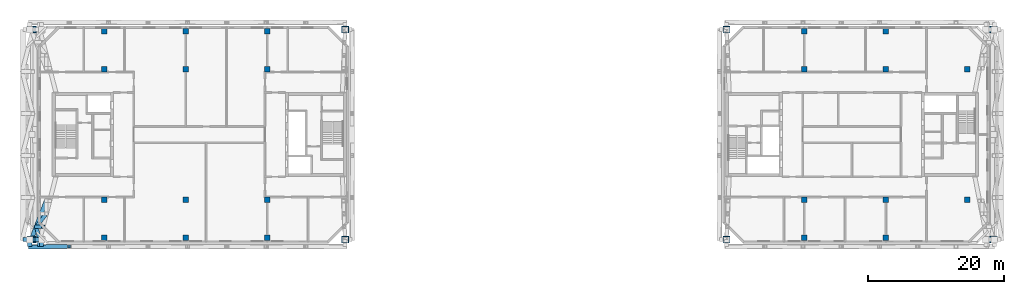
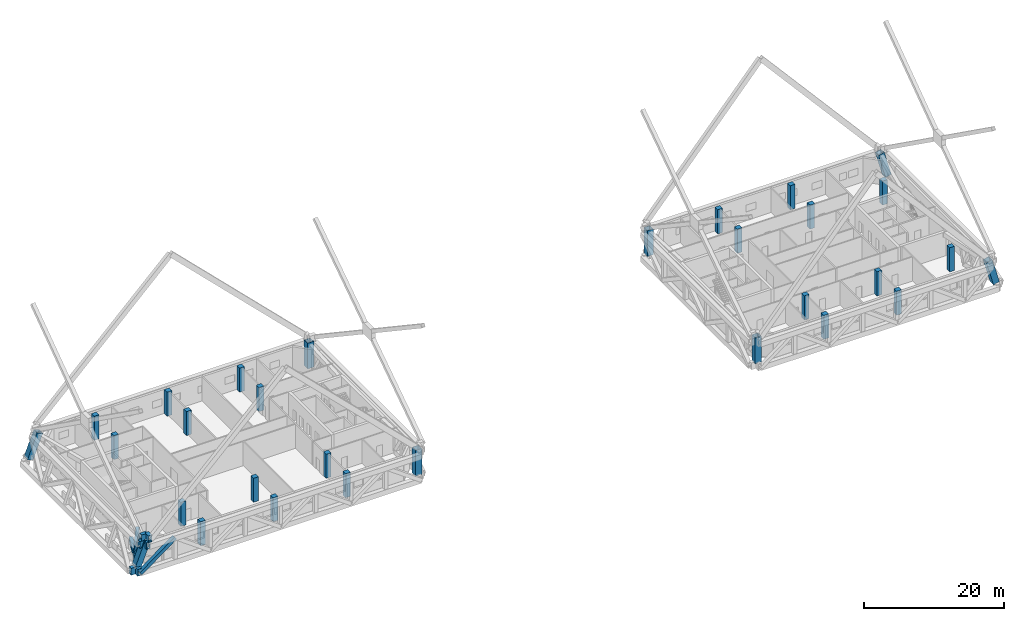
# One storey, part 1 of 20: 30 columns, 7 beams, 4 members.
"""IFC4 building model written with IfcOpenShell, lengths in metres."""

from ifc_helpers import new_model, si_unit, direction, frame, origin, origin_2d, place, context, subcontext, project, spatial, rectangle, hollow_rectangle, extrude, material, material_profile, profile_set, type_object, element, save


model = new_model("IFC4")

# Units and contexts
model_context = context("Model", 3, precision=1e-05, world=origin(), true_north=direction((0.0, 1.0)))
body_context = subcontext(model_context, "Body", "Model", "MODEL_VIEW")
ifc_project = project(units=[si_unit("LENGTHUNIT", "METRE"), si_unit("AREAUNIT", "SQUARE_METRE"), si_unit("VOLUMEUNIT", "CUBIC_METRE"), si_unit("PLANEANGLEUNIT", "RADIAN"), si_unit("MASSUNIT", "GRAM", prefix="KILO")], contexts=[model_context])

# Site, building, storey
site_placement = place(None, origin())
site = spatial("IfcSite", under=ifc_project, at=site_placement, CompositionType="ELEMENT")
building_placement = place(site_placement, origin())
building = spatial("IfcBuilding", under=site, at=building_placement, Name="Tuart Gate Housing", CompositionType="ELEMENT")
storey_placement = place(building_placement, frame((0.0, 0.0, 167.10009765625)))
storey = spatial("IfcBuildingStorey", under=building, at=storey_placement, Name="L47", CompositionType="ELEMENT", Elevation=167.10009765625)

# Columns
ifc_material_1 = material(Name="Steel Grade 350", Category="steel")
ifc_material_profile_1 = material_profile(ifc_material_1, hollow_rectangle(XDim=1.0, YDim=1.0, WallThickness=0.054931640625, at=origin_2d()), Name="BOX 1000x1000x55")
ifc_profile_set_1 = profile_set([ifc_material_profile_1], Name="Steel Grade 350")
column_type_1 = type_object("IfcColumnType", Name="Mega column BOX 1000x1000x55 (4.1-4.5 m)", PredefinedType="COLUMN", material=ifc_profile_set_1)
column_1_placement = place(storey_placement, frame((29.12060546875, 54.550048828125, 0.18115234375), z_axis=(0.362422375457, 0.0, 0.932013960071), x_axis=(0.0, 1.0, 0.0)))
element("IfcColumn", 1, at=column_1_placement, inside=storey, type_object=column_type_1, Name="Mega column A south-west L47", PredefinedType="COLUMN", context=body_context, shape_type="SweptSolid", body=[
    extrude(hollow_rectangle(XDim=1.0, YDim=1.0, WallThickness=0.054931640625, at=origin_2d()), origin(), (0.0, 0.0, 1.0), 4.439208984375),
])
for number, where, z_axis, x_axis, name in (
    (2, (75.449951171875, 54.550048828125, 0.0), (0.0, 0.0, 1.0), (1.0, 0.0, 0.0), "Mega column A south-east L47"),
    (3, (75.449951171875, 85.449951171875, 0.0), (0.0, 0.0, 1.0), (1.0, 0.0, 0.0), "Mega column A north-east L47"),
):
    element("IfcColumn", number, at=place(storey_placement, frame(where, z_axis=z_axis, x_axis=x_axis)), inside=storey, type_object=column_type_1, Name=name, PredefinedType="COLUMN", context=body_context, shape_type="SweptSolid", body=[
        extrude(hollow_rectangle(XDim=1.0, YDim=1.0, WallThickness=0.054931640625, at=origin_2d()), origin(), (0.0, 0.0, 1.0), 4.5),
    ])
column_2_placement = place(storey_placement, frame((29.12060546875, 85.449951171875, 0.18115234375), z_axis=(0.362422375457, 0.0, 0.932013960071), x_axis=(0.0, 1.0, 0.0)))
element("IfcColumn", 4, at=column_2_placement, inside=storey, type_object=column_type_1, Name="Mega column A north-west L47", PredefinedType="COLUMN", context=body_context, shape_type="SweptSolid", body=[
    extrude(hollow_rectangle(XDim=1.0, YDim=1.0, WallThickness=0.054931640625, at=origin_2d()), origin(), (0.0, 0.0, 1.0), 4.439208984375),
])
column_3_placement = place(storey_placement, frame((131.550048828125, 54.550048828125, 0.0), z_axis=(0.0, 0.0, 1.0), x_axis=(1.0, 0.0, 0.0)))
element("IfcColumn", 5, at=column_3_placement, inside=storey, type_object=column_type_1, Name="Mega column B south-west L47", PredefinedType="COLUMN", context=body_context, shape_type="SweptSolid", body=[
    extrude(hollow_rectangle(XDim=1.0, YDim=1.0, WallThickness=0.054931640625, at=origin_2d()), origin(), (0.0, 0.0, 1.0), 4.5),
])
for number, where, z_axis, x_axis, name in (
    (6, (170.912841796875, 54.550048828125, 0.1337890625), (-0.267615198033, 0.0, 0.96352587188), (0.0, -1.0, 0.0), "Mega column B south-east L47"),
    (7, (170.912841796875, 85.449951171875, 0.1337890625), (-0.267615198033, 0.0, 0.96352587188), (0.0, -1.0, 0.0), "Mega column B north-east L47"),
):
    element("IfcColumn", number, at=place(storey_placement, frame(where, z_axis=z_axis, x_axis=x_axis)), inside=storey, type_object=column_type_1, Name=name, PredefinedType="COLUMN", context=body_context, shape_type="SweptSolid", body=[
        extrude(hollow_rectangle(XDim=1.0, YDim=1.0, WallThickness=0.054931640625, at=origin_2d()), origin(), (0.0, 0.0, 1.0), 4.392578125),
    ])
column_4_placement = place(storey_placement, frame((131.550048828125, 85.449951171875, 0.0), z_axis=(0.0, 0.0, 1.0), x_axis=(1.0, 0.0, 0.0)))
element("IfcColumn", 8, at=column_4_placement, inside=storey, type_object=column_type_1, Name="Mega column B north-west L47", PredefinedType="COLUMN", context=body_context, shape_type="SweptSolid", body=[
    extrude(hollow_rectangle(XDim=1.0, YDim=1.0, WallThickness=0.054931640625, at=origin_2d()), origin(), (0.0, 0.0, 1.0), 4.5),
])
ifc_material_2 = material(Name="Concrete C50", Category="concrete")
ifc_material_profile_2 = material_profile(ifc_material_2, rectangle(XDim=0.800048828125, YDim=0.800048828125, at=origin_2d()), Name="RC column 800 x 800 (4.2-4.2 m)")
ifc_profile_set_2 = profile_set([ifc_material_profile_2], Name="Concrete C50")
column_type_2 = type_object("IfcColumnType", Name="RC column 800 x 800 (4.2-4.2 m)", PredefinedType="COLUMN", material=ifc_profile_set_2)
for number, where, z_axis, x_axis, name in (
    (9, (40.0, 54.800048828125, 0.0), (0.0, 0.0, 1.0), (1.0, 0.0, 0.0), "RC column 9 L47"),
    (10, (40.0, 60.39990234375, 0.0), (0.0, 0.0, 1.0), (1.0, 0.0, 0.0), "RC column 12 L47"),
    (11, (40.0, 79.60009765625, 0.0), (0.0, 0.0, 1.0), (1.0, 0.0, 0.0), "RC column 13 L47"),
    (12, (40.0, 85.199951171875, 0.0), (0.0, 0.0, 1.0), (1.0, 0.0, 0.0), "RC column 16 L47"),
    (13, (52.0, 54.800048828125, 0.0), (0.0, 0.0, 1.0), (1.0, 0.0, 0.0), "RC column 17 L47"),
    (14, (52.0, 60.39990234375, 0.0), (0.0, 0.0, 1.0), (1.0, 0.0, 0.0), "RC column 18 L47"),
    (15, (52.0, 79.60009765625, 0.0), (0.0, 0.0, 1.0), (1.0, 0.0, 0.0), "RC column 19 L47"),
    (16, (52.0, 85.199951171875, 0.0), (0.0, 0.0, 1.0), (1.0, 0.0, 0.0), "RC column 20 L47"),
    (17, (64.0, 54.800048828125, 0.0), (0.0, 0.0, 1.0), (1.0, 0.0, 0.0), "RC column 21 L47"),
    (18, (64.0, 60.39990234375, 0.0), (0.0, 0.0, 1.0), (1.0, 0.0, 0.0), "RC column 22 L47"),
    (19, (64.0, 79.60009765625, 0.0), (0.0, 0.0, 1.0), (1.0, 0.0, 0.0), "RC column 23 L47"),
    (20, (64.0, 85.199951171875, 0.0), (0.0, 0.0, 1.0), (1.0, 0.0, 0.0), "RC column 24 L47"),
    (21, (143.0, 54.800048828125, 0.0), (0.0, 0.0, 1.0), (1.0, 0.0, 0.0), "RC column 25 L47"),
    (22, (143.0, 60.39990234375, 0.0), (0.0, 0.0, 1.0), (1.0, 0.0, 0.0), "RC column 26 L47"),
    (23, (143.0, 79.60009765625, 0.0), (0.0, 0.0, 1.0), (1.0, 0.0, 0.0), "RC column 27 L47"),
    (24, (143.0, 85.199951171875, 0.0), (0.0, 0.0, 1.0), (1.0, 0.0, 0.0), "RC column 28 L47"),
    (25, (155.0, 54.800048828125, 0.0), (0.0, 0.0, 1.0), (1.0, 0.0, 0.0), "RC column 29 L47"),
    (26, (155.0, 60.39990234375, 0.0), (0.0, 0.0, 1.0), (1.0, 0.0, 0.0), "RC column 30 L47"),
    (27, (155.0, 79.60009765625, 0.0), (0.0, 0.0, 1.0), (1.0, 0.0, 0.0), "RC column 31 L47"),
    (28, (155.0, 85.199951171875, 0.0), (0.0, 0.0, 1.0), (1.0, 0.0, 0.0), "RC column 32 L47"),
    (29, (167.0, 60.39990234375, 0.0), (0.0, 0.0, 1.0), (1.0, 0.0, 0.0), "RC column 36 L47"),
    (30, (167.0, 79.60009765625, 0.0), (0.0, 0.0, 1.0), (1.0, 0.0, 0.0), "RC column 37 L47"),
):
    element("IfcColumn", number, at=place(storey_placement, frame(where, z_axis=z_axis, x_axis=x_axis)), inside=storey, type_object=column_type_2, Name=name, PredefinedType="COLUMN", context=body_context, shape_type="SweptSolid", body=[
        extrude(rectangle(XDim=0.800048828125, YDim=0.800048828125, at=origin_2d()), origin(), (0.0, 0.0, 1.0), 4.199951171875),
    ])

# Member
ifc_material_3 = material(Name="Steel Grade 350", Category="steel")
ifc_material_profile_3 = material_profile(ifc_material_3, hollow_rectangle(XDim=0.60009765625, YDim=0.60009765625, WallThickness=0.031982421875, at=origin_2d()), Name="BOX 600x600x32")
ifc_profile_set_3 = profile_set([ifc_material_profile_3], Name="Steel Grade 350")
member_type_1 = type_object("IfcMemberType", Name="Belt truss diagonal BOX 600x600x32", PredefinedType="BRACE", material=ifc_profile_set_3)
member_1_placement = place(storey_placement, frame((29.050048828125, 53.449951171875, -0.400146484375), z_axis=(0.813172004898, 0.014033780444, 0.581854228701), x_axis=(-0.017255501798, 0.999851112745, 0.0)))
element("IfcMember", 31, at=member_1_placement, inside=storey, type_object=member_type_1, Name="Belt truss diagonal A south 0 L47", PredefinedType="BRACE", context=body_context, shape_type="SweptSolid", body=[
    extrude(hollow_rectangle(XDim=0.60009765625, YDim=0.60009765625, WallThickness=0.031982421875, at=origin_2d()), origin(), (0.0, 0.0, 1.0), 7.132568359375),
])

# Beams
ifc_material_4 = material(Name="Steel Grade 350", Category="steel")
ifc_material_profile_4 = material_profile(ifc_material_4, hollow_rectangle(XDim=0.60009765625, YDim=1.199951171875, WallThickness=0.0400390625, at=origin_2d()), Name="BOX 1200x600x40")
ifc_profile_set_4 = profile_set([ifc_material_profile_4], Name="Steel Grade 350")
beam_type_1 = type_object("IfcBeamType", Name="Brace shoe BOX 1200x600x40", PredefinedType="BEAM", material=ifc_profile_set_4)
for number, where, z_axis, x_axis, name in (
    (32, (29.050048828125, 54.550048828125, -0.400146484375), (0.0, -1.0, 0.0), (1.0, 0.0, 0.0), "Mega tie beam A node 6 south shoe 0 L47"),
    (33, (29.050048828125, 54.550048828125, -0.400146484375), (-1.0, 0.0, 0.0), (0.0, -1.0, 0.0), "Mega tie beam A node 6 west shoe 0 L47"),
    (34, (30.800048828125, 54.550048828125, 4.81982421875), (0.0, -1.0, 0.0), (1.0, 0.0, 0.0), "Mega brace shoe A zone 7 south chevron 1"),
    (35, (30.800048828125, 54.550048828125, 4.81982421875), (-1.0, 0.0, 0.0), (0.0, -1.0, 0.0), "Mega brace shoe A zone 7 west cross 1"),
    (36, (30.50830078125, 54.550048828125, 3.75), (0.0, -1.0, 0.0), (1.0, 0.0, 0.0), "Belt truss top chord A south shoe 0 L47"),
    (37, (30.50830078125, 54.550048828125, 3.75), (-1.0, 0.0, 0.0), (0.0, -1.0, 0.0), "Belt truss top chord A west shoe 0 L47"),
):
    element("IfcBeam", number, at=place(storey_placement, frame(where, z_axis=z_axis, x_axis=x_axis)), inside=storey, type_object=beam_type_1, Name=name, PredefinedType="BEAM", context=body_context, shape_type="SweptSolid", body=[
        extrude(hollow_rectangle(XDim=0.60009765625, YDim=1.199951171875, WallThickness=0.0400390625, at=origin_2d()), origin(), (0.0, 0.0, 1.0), 1.0),
    ])
ifc_material_5 = material(Name="Steel Grade 350", Category="steel")
ifc_material_profile_5 = material_profile(ifc_material_5, hollow_rectangle(XDim=0.60009765625, YDim=0.800048828125, WallThickness=0.0400390625, at=origin_2d()), Name="BOX 800x600x40")
ifc_profile_set_5 = profile_set([ifc_material_profile_5], Name="Steel Grade 350")
beam_type_2 = type_object("IfcBeamType", Name="Outrigger chord BOX 800x600x40", PredefinedType="BEAM", material=ifc_profile_set_5)
beam_placement = place(storey_placement, frame((31.481689453125, 60.25, 0.5498046875), z_axis=(-0.362606137903, -0.931942481463, 0.0), x_axis=(0.931942481463, -0.362606137903, 0.0)))
element("IfcBeam", 38, at=beam_placement, inside=storey, type_object=beam_type_2, Name="Outrigger bottom chord AK south 0 L47", PredefinedType="BEAM", context=body_context, shape_type="SweptSolid", body=[
    extrude(hollow_rectangle(XDim=0.60009765625, YDim=0.800048828125, WallThickness=0.0400390625, at=origin_2d()), origin(), (0.0, 0.0, 1.0), 6.1162109375),
])

# Members
ifc_material_6 = material(Name="Steel Grade 350", Category="steel")
ifc_material_profile_6 = material_profile(ifc_material_6, hollow_rectangle(XDim=0.5400390625, YDim=0.5400390625, WallThickness=0.030029296875, at=origin_2d()), Name="BOX 540x540x30")
ifc_profile_set_6 = profile_set([ifc_material_profile_6], Name="Steel Grade 350")
member_type_2 = type_object("IfcMemberType", Name="Outrigger diagonal BOX 540x540x30", PredefinedType="BRACE", material=ifc_profile_set_6)
member_2_placement = place(storey_placement, frame((31.500732421875, 58.35009765625, 3.7998046875), z_axis=(-0.369618425189, -0.468982752404, -0.802145496595), x_axis=(0.785396525704, -0.618992970406, 0.0)))
element("IfcMember", 39, at=member_2_placement, inside=storey, type_object=member_type_2, Name="Outrigger diagonal AK south 3 L47", PredefinedType="BRACE", context=body_context, shape_type="SweptSolid", body=[
    extrude(hollow_rectangle(XDim=0.5400390625, YDim=0.5400390625, WallThickness=0.030029296875, at=origin_2d()), origin(), (0.0, 0.0, 1.0), 4.051513671875),
])
member_3_placement = place(storey_placement, frame((30.003173828125, 56.449951171875, 0.5498046875), z_axis=(0.138032607449, -0.499846324417, 0.855044239351), x_axis=(0.963921412338, 0.266186984723, 0.0)))
element("IfcMember", 40, at=member_3_placement, inside=storey, type_object=member_type_2, Name="Outrigger diagonal AK south 4 L47", PredefinedType="BRACE", context=body_context, shape_type="SweptSolid", body=[
    extrude(hollow_rectangle(XDim=0.5400390625, YDim=0.5400390625, WallThickness=0.030029296875, at=origin_2d()), origin(), (0.0, 0.0, 1.0), 3.801025390625),
])
ifc_material_7 = material(Name="Steel Grade 350", Category="steel")
ifc_material_profile_7 = material_profile(ifc_material_7, hollow_rectangle(XDim=0.52001953125, YDim=0.52001953125, WallThickness=0.028076171875, at=origin_2d()), Name="BOX 520x520x28")
ifc_profile_set_7 = profile_set([ifc_material_profile_7], Name="Steel Grade 350")
member_type_3 = type_object("IfcMemberType", Name="Outrigger post BOX 520x520x28", PredefinedType="POST", material=ifc_profile_set_7)
member_4_placement = place(storey_placement, frame((30.003173828125, 56.449951171875, 0.5498046875), z_axis=(0.297033125913, 0.0, 0.954867175114), x_axis=(0.0, 1.0, 0.0)))
element("IfcMember", 41, at=member_4_placement, inside=storey, type_object=member_type_3, Name="Outrigger post AK south 4 L47", PredefinedType="POST", context=body_context, shape_type="SweptSolid", body=[
    extrude(hollow_rectangle(XDim=0.52001953125, YDim=0.52001953125, WallThickness=0.028076171875, at=origin_2d()), origin(), (0.0, 0.0, 1.0), 3.403564453125),
])

save(model, "model.ifc")
